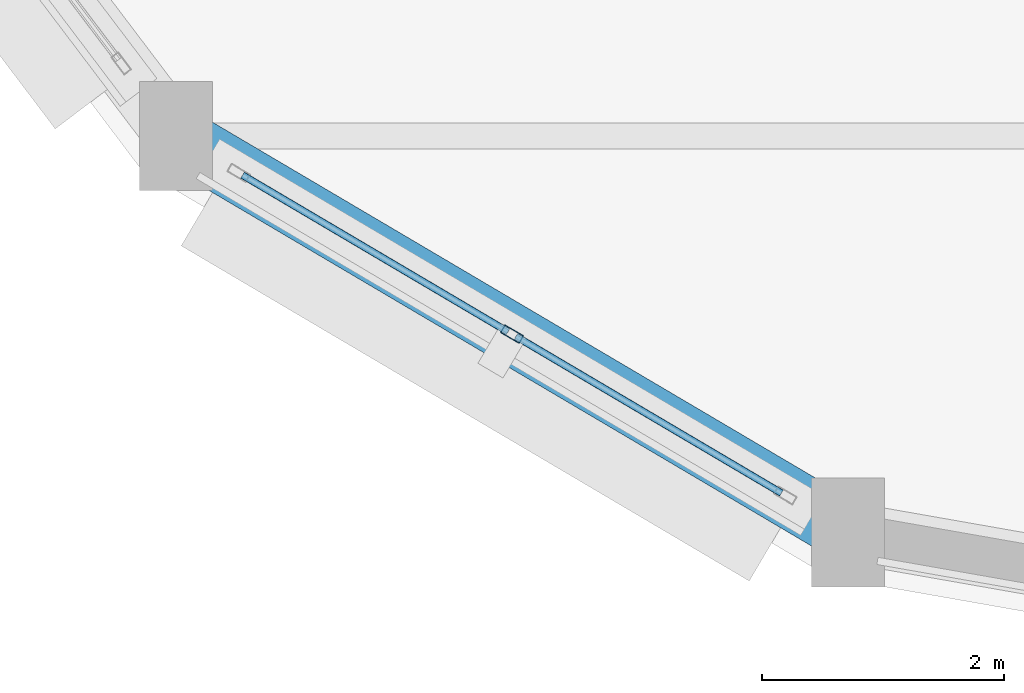
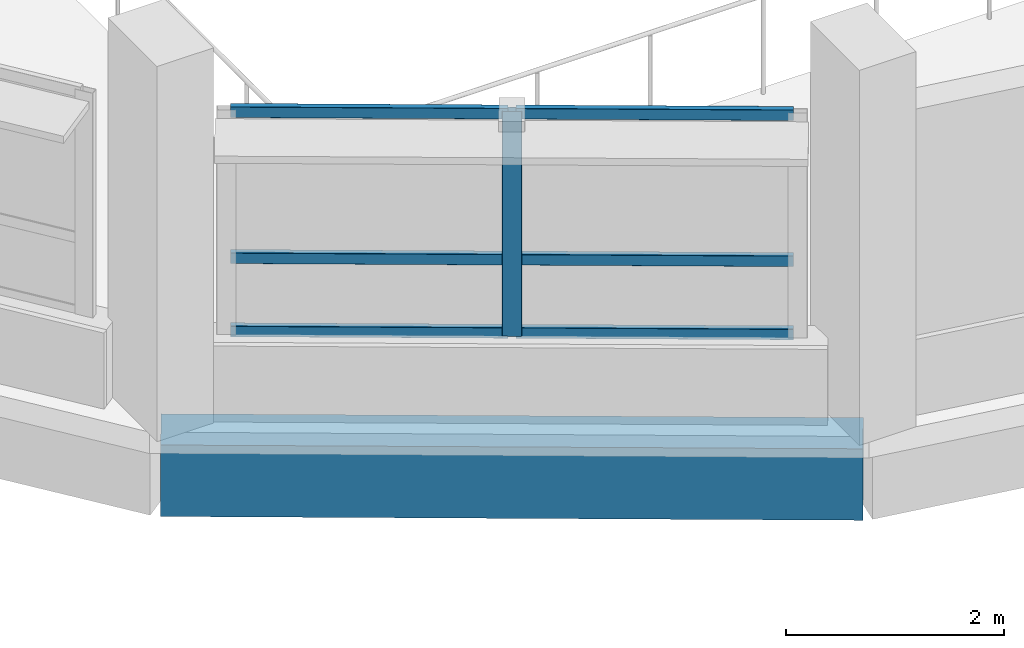
# One storey, part 92 of 128: 7 members, 1 beam, 1 element without a shape of its own.
"""IFC4 building model written with IfcOpenShell, lengths in metres."""

from ifc_helpers import new_model, si_unit, direction, frame, origin, origin_2d, place, context, subcontext, project, spatial, rectangle, hollow_rectangle, extrude, material, layer, layer_set, material_profile, profile_set, type_object, element, aggregate, save


model = new_model("IFC4")

# Units and contexts
model_context = context("Model", 3, precision=1e-05, world=origin(), true_north=direction((0.0, 1.0)))
body_context = subcontext(model_context, "Body", "Model", "MODEL_VIEW")
ifc_project = project(units=[si_unit("LENGTHUNIT", "METRE"), si_unit("AREAUNIT", "SQUARE_METRE"), si_unit("VOLUMEUNIT", "CUBIC_METRE"), si_unit("PLANEANGLEUNIT", "RADIAN"), si_unit("MASSUNIT", "GRAM", prefix="KILO")], contexts=[model_context])

# Site, building, storey
site_placement = place(None, origin())
site = spatial("IfcSite", under=ifc_project, at=site_placement, CompositionType="ELEMENT")
building_placement = place(site_placement, origin())
building = spatial("IfcBuilding", under=site, at=building_placement, Name="Vespera Passage Community Centre", CompositionType="ELEMENT")
storey_placement = place(building_placement, frame((0.0, 0.0, 4.5)))
storey = spatial("IfcBuildingStorey", under=building, at=storey_placement, Name="L01", CompositionType="ELEMENT", Elevation=4.5)

# Beam
ifc_material_1 = material(Name="Concrete f'c 35 MPa", Category="concrete")
ifc_material_profile_1 = material_profile(ifc_material_1, rectangle(XDim=0.5, YDim=0.800048828125, at=origin_2d()), Name="RC500X800")
ifc_profile_set_1 = profile_set([ifc_material_profile_1], Name="Concrete f'c 35 MPa")
beam_type = type_object("IfcBeamType", Name="BM-SP-500X800E", PredefinedType="SPANDREL", material=ifc_profile_set_1)
beam_placement = place(storey_placement, frame((130.908447265625, 78.82275390625, -0.639892578125), z_axis=(0.861245535965, -0.508189065978, 0.0), x_axis=(0.508189065978, 0.861245535965, 0.0)))
element("IfcBeam", 1, at=beam_placement, inside=storey, type_object=beam_type, Name="V2 L01 Perimeter Spandrel 11", PredefinedType="SPANDREL", context=body_context, shape_type="SweptSolid", body=[
    extrude(rectangle(XDim=0.5, YDim=0.800048828125, at=origin_2d()), origin(), (0.0, 0.0, 1.0), 6.44140625),
])

# Curtain wall, members
ifc_material_2 = material(Name="Anodized aluminium 6063-T6", Category="aluminium")
ifc_layer = layer(ifc_material_2, 0.159912109375)
ifc_layer_set = layer_set([ifc_layer], Name="Anodized aluminium 6063-T6")
curtain_wall_type = type_object("IfcCurtainWallType", Name="CW-94E", PredefinedType="NOTDEFINED", material=ifc_layer_set)
curtain_wall_placement = place(storey_placement, origin())
curtain_wall = element("IfcCurtainWall", 2, at=curtain_wall_placement, inside=storey, type_object=curtain_wall_type, Name="Sports Drum Ribbon Curtain Wall L01.11", PredefinedType="NOTDEFINED")
ifc_material_3 = material(Name="Anodized aluminium 6063-T6", Category="aluminium")
ifc_material_profile_2 = material_profile(ifc_material_3, hollow_rectangle(XDim=0.074951171875, YDim=0.179931640625, WallThickness=0.0048828125, InnerFilletRadius=0.00244140625, OuterFilletRadius=0.0048828125, at=origin_2d()), Name="ALU180X75X5")
ifc_profile_set_2 = profile_set([ifc_material_profile_2], Name="Anodized aluminium 6063-T6")
member_type_1 = type_object("IfcMemberType", Name="MB-CWM-180E", PredefinedType="MULLION", material=ifc_profile_set_2)
member_1_placement = place(storey_placement, frame((133.682373046875, 77.18603515625, 0.85009765625), z_axis=(0.0, 0.0, 1.0), x_axis=(-0.50817007737, -0.861256740157, 0.0)))
member_1 = element("IfcMember", 3, at=member_1_placement, type_object=member_type_1, Name="CW-94E mullion 2", PredefinedType="MULLION", context=body_context, shape_type="SweptSolid", body=[
    extrude(hollow_rectangle(XDim=0.074951171875, YDim=0.179931640625, WallThickness=0.0048828125, InnerFilletRadius=0.00244140625, OuterFilletRadius=0.0048828125, at=origin_2d()), origin(), (0.0, 0.0, 1.0), 2.514892578125),
])
ifc_material_4 = material(Name="Anodized aluminium 6063-T6", Category="aluminium")
ifc_material_profile_3 = material_profile(ifc_material_4, hollow_rectangle(XDim=0.06005859375, YDim=0.1201171875, WallThickness=0.00390625, InnerFilletRadius=0.001953125, OuterFilletRadius=0.00390625, at=origin_2d()), Name="ALU120X60X4")
ifc_profile_set_3 = profile_set([ifc_material_profile_3], Name="Anodized aluminium 6063-T6")
member_type_2 = type_object("IfcMemberType", Name="MB-CWT-120E", PredefinedType="USERDEFINED", material=ifc_profile_set_3)
member_2_placement = place(storey_placement, frame((135.90625, 75.873779296875, 0.8798828125), z_axis=(-0.861245323455, 0.508189426127, 0.0), x_axis=(-0.508189426127, -0.861245323455, 0.0)))
member_2 = element("IfcMember", 4, at=member_2_placement, type_object=member_type_2, Name="CW-94E transom 1.1", ObjectType="TRANSOM", PredefinedType="USERDEFINED", context=body_context, shape_type="SweptSolid", body=[
    extrude(hollow_rectangle(XDim=0.06005859375, YDim=0.1201171875, WallThickness=0.00390625, InnerFilletRadius=0.001953125, OuterFilletRadius=0.00390625, at=origin_2d()), origin(), (0.0, 0.0, 1.0), 2.544677734375),
])
member_3_placement = place(storey_placement, frame((135.90625, 75.873779296875, 1.699951171875), z_axis=(-0.861245323455, 0.508189426127, 0.0), x_axis=(-0.508189426127, -0.861245323455, 0.0)))
member_3 = element("IfcMember", 5, at=member_3_placement, type_object=member_type_2, Name="CW-94E transom 1.2", ObjectType="TRANSOM", PredefinedType="USERDEFINED", context=body_context, shape_type="SweptSolid", body=[
    extrude(hollow_rectangle(XDim=0.06005859375, YDim=0.1201171875, WallThickness=0.00390625, InnerFilletRadius=0.001953125, OuterFilletRadius=0.00390625, at=origin_2d()), origin(), (0.0, 0.0, 1.0), 2.544677734375),
])
member_4_placement = place(storey_placement, frame((135.90625, 75.873779296875, 3.3349609375), z_axis=(-0.861245323455, 0.508189426127, 0.0), x_axis=(-0.508189426127, -0.861245323455, 0.0)))
member_4 = element("IfcMember", 6, at=member_4_placement, type_object=member_type_2, Name="CW-94E transom 1.3", ObjectType="TRANSOM", PredefinedType="USERDEFINED", context=body_context, shape_type="SweptSolid", body=[
    extrude(hollow_rectangle(XDim=0.06005859375, YDim=0.1201171875, WallThickness=0.00390625, InnerFilletRadius=0.001953125, OuterFilletRadius=0.00390625, at=origin_2d()), origin(), (0.0, 0.0, 1.0), 2.544677734375),
])
member_5_placement = place(storey_placement, frame((133.64990234375, 77.205078125, 0.8798828125), z_axis=(-0.861245323455, 0.508189426127, 0.0), x_axis=(-0.508189426127, -0.861245323455, 0.0)))
member_5 = element("IfcMember", 7, at=member_5_placement, type_object=member_type_2, Name="CW-94E transom 2.1", ObjectType="TRANSOM", PredefinedType="USERDEFINED", context=body_context, shape_type="SweptSolid", body=[
    extrude(hollow_rectangle(XDim=0.06005859375, YDim=0.1201171875, WallThickness=0.00390625, InnerFilletRadius=0.001953125, OuterFilletRadius=0.00390625, at=origin_2d()), origin(), (0.0, 0.0, 1.0), 2.544677734375),
])
member_6_placement = place(storey_placement, frame((133.64990234375, 77.205078125, 1.699951171875), z_axis=(-0.861245323455, 0.508189426127, 0.0), x_axis=(-0.508189426127, -0.861245323455, 0.0)))
member_6 = element("IfcMember", 8, at=member_6_placement, type_object=member_type_2, Name="CW-94E transom 2.2", ObjectType="TRANSOM", PredefinedType="USERDEFINED", context=body_context, shape_type="SweptSolid", body=[
    extrude(hollow_rectangle(XDim=0.06005859375, YDim=0.1201171875, WallThickness=0.00390625, InnerFilletRadius=0.001953125, OuterFilletRadius=0.00390625, at=origin_2d()), origin(), (0.0, 0.0, 1.0), 2.544677734375),
])
member_7_placement = place(storey_placement, frame((133.64990234375, 77.205078125, 3.3349609375), z_axis=(-0.861245323455, 0.508189426127, 0.0), x_axis=(-0.508189426127, -0.861245323455, 0.0)))
member_7 = element("IfcMember", 9, at=member_7_placement, type_object=member_type_2, Name="CW-94E transom 2.3", ObjectType="TRANSOM", PredefinedType="USERDEFINED", context=body_context, shape_type="SweptSolid", body=[
    extrude(hollow_rectangle(XDim=0.06005859375, YDim=0.1201171875, WallThickness=0.00390625, InnerFilletRadius=0.001953125, OuterFilletRadius=0.00390625, at=origin_2d()), origin(), (0.0, 0.0, 1.0), 2.544677734375),
])
aggregate(curtain_wall, [member_1, member_2, member_3, member_4, member_5, member_6, member_7])

save(model, "model.ifc")
